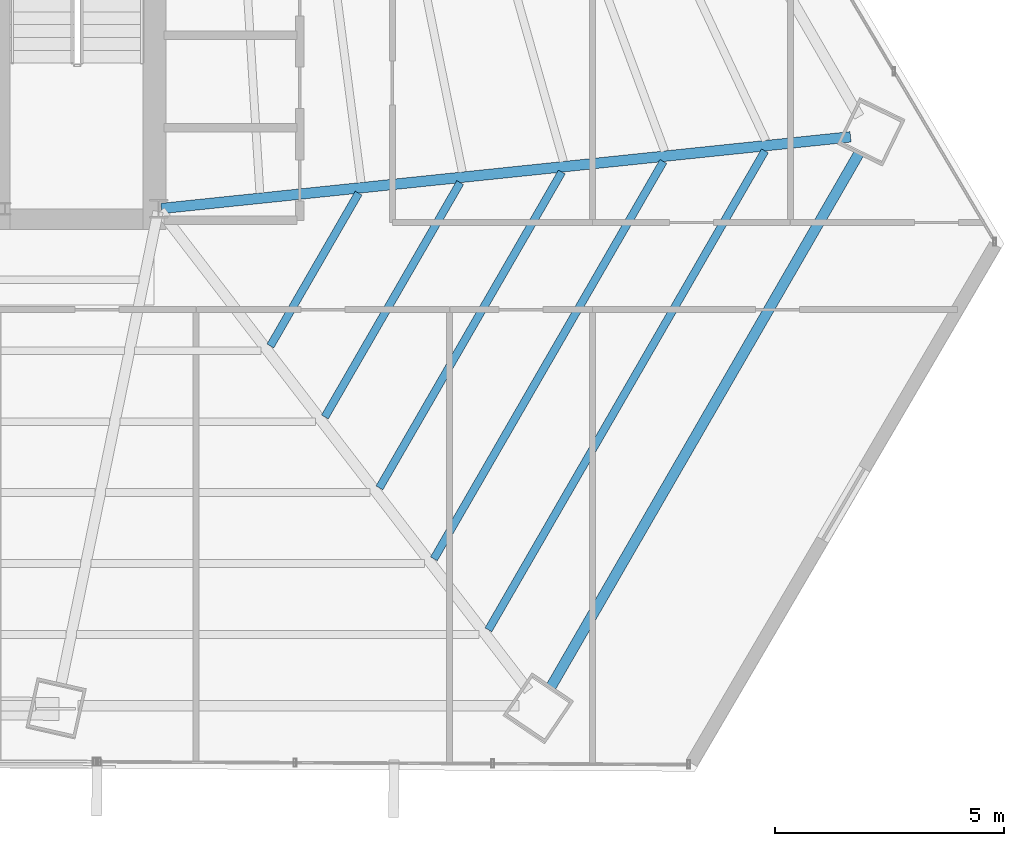
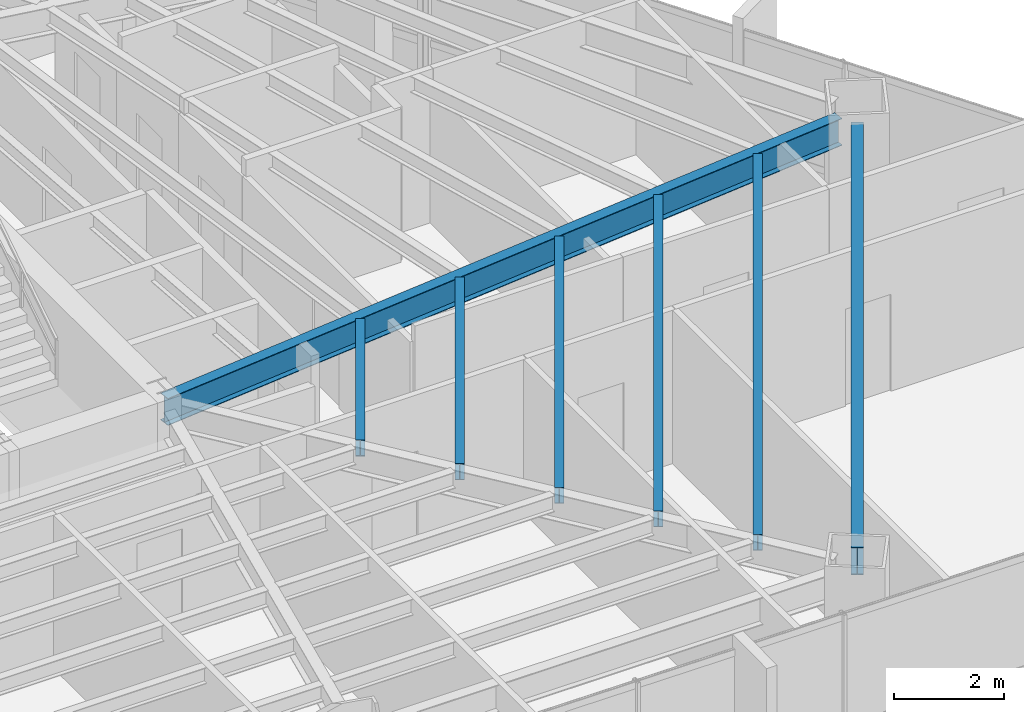
# One storey, part 18 of 36: 7 beams.
"""IFC4 building model written with IfcOpenShell, lengths in metres."""

from ifc_helpers import new_model, si_unit, direction, frame, origin, origin_2d, place, context, subcontext, project, spatial, i_section, extrude, source, transform, mapped, material, material_profile, profile_set, type_object, type_shapes, element, save


model = new_model("IFC4")

# Units and contexts
model_context = context("Model", 3, precision=1e-05, world=origin(), true_north=direction((0.0, 1.0)))
body_context = subcontext(model_context, "Body", "Model", "MODEL_VIEW")
ifc_project = project(units=[si_unit("LENGTHUNIT", "METRE"), si_unit("AREAUNIT", "SQUARE_METRE"), si_unit("VOLUMEUNIT", "CUBIC_METRE"), si_unit("PLANEANGLEUNIT", "RADIAN"), si_unit("MASSUNIT", "GRAM", prefix="KILO")], contexts=[model_context])

# Site, building, storey
site_placement = place(None, origin())
site = spatial("IfcSite", under=ifc_project, at=site_placement, CompositionType="ELEMENT")
building_placement = place(site_placement, origin())
building = spatial("IfcBuilding", under=site, at=building_placement, Name="Caelisora Broadcast Tower", CompositionType="ELEMENT")
storey_placement = place(building_placement, frame((0.0, 0.0, 112.699951171875)))
storey = spatial("IfcBuildingStorey", under=building, at=storey_placement, Name="L29", CompositionType="ELEMENT", Elevation=112.699951171875)

# Beams
ifc_material = material(Name="Steel Grade 350 (AS/NZS 3679.1)", Category="steel")
ifc_material_profile_1 = material_profile(ifc_material, i_section(OverallWidth=0.22900390625, OverallDepth=0.611572265625, WebThickness=0.011962890625, FlangeThickness=0.01953125, at=origin_2d()), Name="Steel Grade 350 (AS/NZS 3679.1)")
ifc_profile_set_1 = profile_set([ifc_material_profile_1], Name="Steel Grade 350 (AS/NZS 3679.1)")
beam_type_1 = type_object("IfcBeamType", Name="PG03", PredefinedType="BEAM", material=ifc_profile_set_1)
shared_shape_1 = source(origin(), body_context, "Body", "SweptSolid", [
    extrude(i_section(OverallWidth=0.22900390625, OverallDepth=0.611572265625, WebThickness=0.011962890625, FlangeThickness=0.01953125, at=origin_2d()), origin(), (0.0, 0.0, 1.0), 13.462890625),
])
type_shapes(beam_type_1, [shared_shape_1])
beam_1_placement = place(storey_placement, frame((54.0576171875, 6.956298828125, 3.09423828125), z_axis=(0.500000823453, 0.866024928363, 0.0), x_axis=(-0.866024928363, 0.500000823453, 0.0)))
element("IfcBeam", 1, at=beam_1_placement, inside=storey, type_object=beam_type_1, Name="L29 beam PG03", PredefinedType="BEAM", context=body_context, shape_type="MappedRepresentation", body=[
    mapped(shared_shape_1, transform((0.0, 0.0, 0.0), scale=1.0)),
])
ifc_material_profile_2 = material_profile(ifc_material, i_section(OverallWidth=0.22802734375, OverallDepth=0.602294921875, WebThickness=0.010498046875, FlangeThickness=0.014892578125, at=origin_2d()), Name="Steel Grade 350 (AS/NZS 3679.1)")
ifc_profile_set_2 = profile_set([ifc_material_profile_2], Name="Steel Grade 350 (AS/NZS 3679.1)")
beam_type_2 = type_object("IfcBeamType", Name="PG04", PredefinedType="BEAM", material=ifc_profile_set_2)
shared_shape_2 = source(origin(), body_context, "Body", "SweptSolid", [
    extrude(i_section(OverallWidth=0.22802734375, OverallDepth=0.602294921875, WebThickness=0.010498046875, FlangeThickness=0.014892578125, at=origin_2d()), origin(), (0.0, 0.0, 1.0), 15.12255859375),
])
type_shapes(beam_type_2, [shared_shape_2])
beam_2_placement = place(storey_placement, frame((45.559814453125, 17.40625, 3.098876953125), z_axis=(0.994636208813, 0.103435062325, 0.0), x_axis=(-0.103435062325, 0.994636208813, 0.0)))
element("IfcBeam", 2, at=beam_2_placement, inside=storey, type_object=beam_type_2, Name="L29 beam PG04", PredefinedType="BEAM", context=body_context, shape_type="MappedRepresentation", body=[
    mapped(shared_shape_2, transform((0.0, 0.0, 0.0), scale=1.0)),
])
ifc_material_profile_3 = material_profile(ifc_material, i_section(OverallWidth=0.172119140625, OverallDepth=0.358642578125, WebThickness=0.008056640625, FlangeThickness=0.012939453125, at=origin_2d()), Name="Steel Grade 350 (AS/NZS 3679.1)")
ifc_profile_set_3 = profile_set([ifc_material_profile_3], Name="Steel Grade 350 (AS/NZS 3679.1)")
beam_type_3 = type_object("IfcBeamType", Name="SB02", PredefinedType="JOIST", material=ifc_profile_set_3)
shared_shape_3 = source(origin(), body_context, "Body", "SweptSolid", [
    extrude(i_section(OverallWidth=0.172119140625, OverallDepth=0.358642578125, WebThickness=0.008056640625, FlangeThickness=0.012939453125, at=origin_2d()), origin(), (0.0, 0.0, 1.0), 3.85107421875),
])
beam_3_placement = place(storey_placement, frame((47.939453125, 14.406494140625, 3.220703125), z_axis=(0.499991345342, 0.866030400496, 0.0), x_axis=(-0.866030400496, 0.499991345342, 0.0)))
element("IfcBeam", 3, at=beam_3_placement, inside=storey, type_object=beam_type_3, Name="L29 beam SB02", PredefinedType="JOIST", context=body_context, shape_type="MappedRepresentation", body=[
    mapped(shared_shape_3, transform((0.0, 0.0, 0.0), scale=1.0)),
])
shared_shape_4 = source(origin(), body_context, "Body", "SweptSolid", [
    extrude(i_section(OverallWidth=0.172119140625, OverallDepth=0.358642578125, WebThickness=0.008056640625, FlangeThickness=0.012939453125, at=origin_2d()), origin(), (0.0, 0.0, 1.0), 5.906005859375),
])
beam_4_placement = place(storey_placement, frame((49.129150390625, 12.857666015625, 3.220703125), z_axis=(0.499984865837, 0.866034141321, 0.0), x_axis=(-0.866034141321, 0.499984865837, 0.0)))
element("IfcBeam", 4, at=beam_4_placement, inside=storey, type_object=beam_type_3, Name="L29 beam SB02", PredefinedType="JOIST", context=body_context, shape_type="MappedRepresentation", body=[
    mapped(shared_shape_4, transform((0.0, 0.0, 0.0), scale=1.0)),
])
shared_shape_5 = source(origin(), body_context, "Body", "SweptSolid", [
    extrude(i_section(OverallWidth=0.172119140625, OverallDepth=0.358642578125, WebThickness=0.008056640625, FlangeThickness=0.012939453125, at=origin_2d()), origin(), (0.0, 0.0, 1.0), 7.960693359375),
])
beam_5_placement = place(storey_placement, frame((50.31884765625, 11.308837890625, 3.220703125), z_axis=(0.500018012193, 0.86601500419, 0.0), x_axis=(-0.86601500419, 0.500018012193, 0.0)))
element("IfcBeam", 5, at=beam_5_placement, inside=storey, type_object=beam_type_3, Name="L29 beam SB02", PredefinedType="JOIST", context=body_context, shape_type="MappedRepresentation", body=[
    mapped(shared_shape_5, transform((0.0, 0.0, 0.0), scale=1.0)),
])
shared_shape_6 = source(origin(), body_context, "Body", "SweptSolid", [
    extrude(i_section(OverallWidth=0.172119140625, OverallDepth=0.358642578125, WebThickness=0.008056640625, FlangeThickness=0.012939453125, at=origin_2d()), origin(), (0.0, 0.0, 1.0), 10.01513671875),
])
beam_6_placement = place(storey_placement, frame((51.508544921875, 9.760009765625, 3.220703125), z_axis=(0.500000993434, 0.866024830224, 0.0), x_axis=(-0.866024830224, 0.500000993434, 0.0)))
element("IfcBeam", 6, at=beam_6_placement, inside=storey, type_object=beam_type_3, Name="L29 beam SB02", PredefinedType="JOIST", context=body_context, shape_type="MappedRepresentation", body=[
    mapped(shared_shape_6, transform((0.0, 0.0, 0.0), scale=1.0)),
])
shared_shape_7 = source(origin(), body_context, "Body", "SweptSolid", [
    extrude(i_section(OverallWidth=0.172119140625, OverallDepth=0.358642578125, WebThickness=0.008056640625, FlangeThickness=0.012939453125, at=origin_2d()), origin(), (0.0, 0.0, 1.0), 12.070068359375),
])
type_shapes(beam_type_3, [shared_shape_3, shared_shape_4, shared_shape_5, shared_shape_6, shared_shape_7])
beam_7_placement = place(storey_placement, frame((52.6982421875, 8.2109375, 3.220703125), z_axis=(0.499987422, 0.866032665575, 0.0), x_axis=(-0.866032665575, 0.499987422, 0.0)))
element("IfcBeam", 7, at=beam_7_placement, inside=storey, type_object=beam_type_3, Name="L29 beam SB02", PredefinedType="JOIST", context=body_context, shape_type="MappedRepresentation", body=[
    mapped(shared_shape_7, transform((0.0, 0.0, 0.0), scale=1.0)),
])

save(model, "model.ifc")
